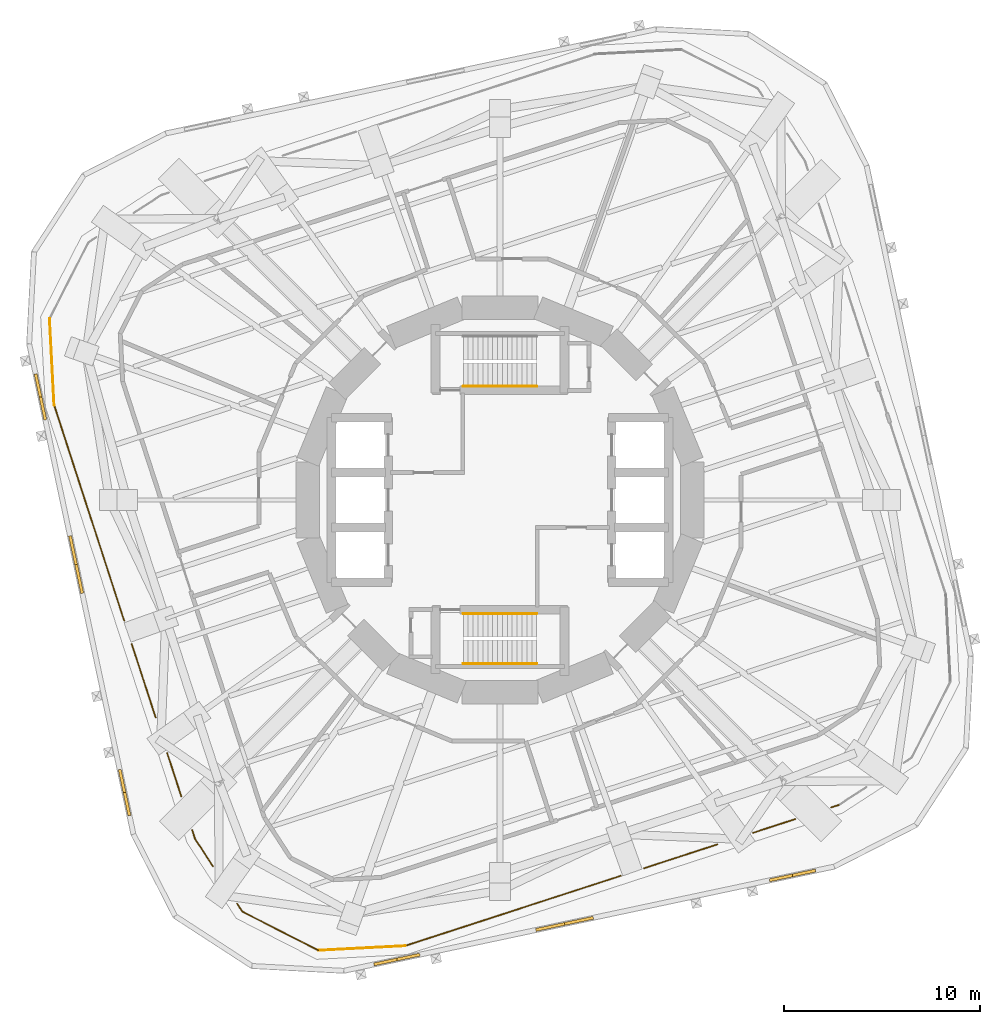
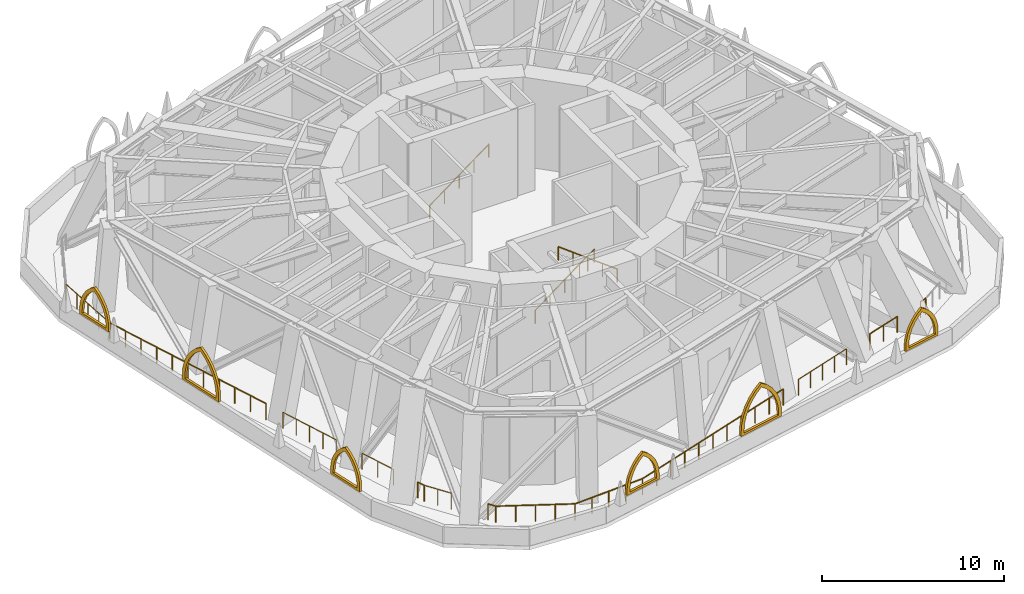
# One storey, part 8 of 11: 16 railings, 6 shading devices.
"""IFC4 building model written with IfcOpenShell, lengths in metres."""

from ifc_helpers import new_model, si_unit, direction, frame, origin, origin_2d, place, context, subcontext, project, spatial, polyline, circle, outline, extrude, material, type_object, element, save


model = new_model("IFC4")

# Units and contexts
model_context = context("Model", 3, precision=1e-05, world=origin(), true_north=direction((0.0, 1.0)))
body_context = subcontext(model_context, "Body", "Model", "MODEL_VIEW")
ifc_project = project(units=[si_unit("LENGTHUNIT", "METRE"), si_unit("AREAUNIT", "SQUARE_METRE"), si_unit("VOLUMEUNIT", "CUBIC_METRE"), si_unit("PLANEANGLEUNIT", "RADIAN"), si_unit("MASSUNIT", "GRAM", prefix="KILO")], contexts=[model_context])

# Site, building, storey
site_placement = place(None, origin())
site = spatial("IfcSite", under=ifc_project, at=site_placement, CompositionType="ELEMENT")
building_placement = place(site_placement, origin())
building = spatial("IfcBuilding", under=site, at=building_placement, Name="Nakasero Lantern House", CompositionType="ELEMENT")
storey_placement = place(building_placement, frame((0.0, 0.0, 135.800048828125)))
storey = spatial("IfcBuildingStorey", under=building, at=storey_placement, Name="L33", CompositionType="ELEMENT", Elevation=135.800048828125)

# Shading devices
ifc_material_1 = material(Name="Aluminium 6063-T6", Category="aluminium")
shading_device_type_1 = type_object("IfcShadingDeviceType", Name="Lancet screen 2400", PredefinedType="USERDEFINED", material=ifc_material_1)
for number, where, z_axis, x_axis, name in (
    (1, (-23.45654296875, 5.26220703125, 1.099853515625), (0.0, 0.0, 1.0), (0.207911691, -0.978147601, 0.0), "Tracery screen L33 2-00"),
    (2, (-19.1640625, -14.933349609375, 1.099853515625), (0.0, 0.0, 1.0), (0.207911691, -0.978147601, 0.0), "Tracery screen L33 2-02"),
    (3, (-5.26220703125, -23.45654296875, 1.099853515625), (0.0, 0.0, 1.0), (0.978147601, 0.207911691, 0.0), "Tracery screen L33 3-00"),
    (4, (14.933349609375, -19.1640625, 1.099853515625), (0.0, 0.0, 1.0), (0.978147601, 0.207911691, 0.0), "Tracery screen L33 3-02"),
):
    element("IfcShadingDevice", number, at=place(storey_placement, frame(where, z_axis=z_axis, x_axis=x_axis)), inside=storey, type_object=shading_device_type_1, Name=name, ObjectType="LANCET SCREEN", PredefinedType="USERDEFINED", context=body_context, shape_type="SweptSolid", body=[
        extrude(outline(polyline([(-1.199951171875, 0.0), (1.199951171875, 0.0), (1.199951171875, 0.300048828125), (1.16357421875, 0.716796875), (1.05517578125, 1.120849609375), (0.87841796875, 1.5), (0.638427734375, 1.8427734375), (0.3427734375, 2.138427734375), (0.0, 2.37841796875), (-0.3427734375, 2.138427734375), (-0.638427734375, 1.8427734375), (-0.87841796875, 1.5), (-1.05517578125, 1.120849609375), (-1.16357421875, 0.716796875), (-1.199951171875, 0.300048828125), (-1.199951171875, 0.0)]), holes=[polyline([(-0.97998046875, 0.14990234375), (0.97998046875, 0.14990234375), (0.97998046875, 0.300048828125), (0.950439453125, 0.6572265625), (0.86279296875, 1.0048828125), (0.719482421875, 1.33349609375), (0.524169921875, 1.63427734375), (0.281982421875, 1.898681640625), (0.0, 2.1201171875), (-0.281982421875, 1.898681640625), (-0.524169921875, 1.63427734375), (-0.719482421875, 1.33349609375), (-0.86279296875, 1.0048828125), (-0.950439453125, 0.6572265625), (-0.97998046875, 0.300048828125), (-0.97998046875, 0.14990234375)])]), frame((0.0, 0.074951171875, 0.0), z_axis=(0.0, -1.0, 0.0), x_axis=(1.0, 0.0, 0.0)), (0.0, 0.0, 1.0), 0.14990234375),
    ])
ifc_material_2 = material(Name="Aluminium 6063-T6", Category="aluminium")
shading_device_type_2 = type_object("IfcShadingDeviceType", Name="Lancet screen 3000", PredefinedType="USERDEFINED", material=ifc_material_2)
for number, where, z_axis, x_axis, name in (
    (5, (-21.63720703125, -3.2978515625, 1.099853515625), (0.0, 0.0, 1.0), (0.207911691, -0.978147601, 0.0), "Tracery screen L33 2-01"),
    (6, (3.2978515625, -21.63720703125, 1.099853515625), (0.0, 0.0, 1.0), (0.978147601, 0.207911691, 0.0), "Tracery screen L33 3-01"),
):
    element("IfcShadingDevice", number, at=place(storey_placement, frame(where, z_axis=z_axis, x_axis=x_axis)), inside=storey, type_object=shading_device_type_2, Name=name, ObjectType="LANCET SCREEN", PredefinedType="USERDEFINED", context=body_context, shape_type="SweptSolid", body=[
        extrude(outline(polyline([(-1.5, 0.0), (1.5, 0.0), (1.5, 0.300048828125), (1.454345703125, 0.821044921875), (1.319091796875, 1.326171875), (1.09814453125, 1.800048828125), (0.798095703125, 2.228271484375), (0.428466796875, 2.59814453125), (0.0, 2.898193359375), (-0.428466796875, 2.59814453125), (-0.798095703125, 2.228271484375), (-1.09814453125, 1.800048828125), (-1.319091796875, 1.326171875), (-1.454345703125, 0.821044921875), (-1.5, 0.300048828125), (-1.5, 0.0)]), holes=[polyline([(-1.280029296875, 0.14990234375), (1.280029296875, 0.14990234375), (1.280029296875, 0.300048828125), (1.241455078125, 0.761474609375), (1.126708984375, 1.21044921875), (0.939208984375, 1.6337890625), (0.683837890625, 2.020263671875), (0.367919921875, 2.359130859375), (0.0, 2.640625), (-0.367919921875, 2.359130859375), (-0.683837890625, 2.020263671875), (-0.939208984375, 1.6337890625), (-1.126708984375, 1.21044921875), (-1.241455078125, 0.761474609375), (-1.280029296875, 0.300048828125), (-1.280029296875, 0.14990234375)])]), frame((0.0, 0.074951171875, 0.0), z_axis=(0.0, -1.0, 0.0), x_axis=(1.0, 0.0, 0.0)), (0.0, 0.0, 1.0), 0.14990234375),
    ])

# Railings
ifc_material_3 = material(Name="Aluminium 6063-T6", Category="aluminium")
railing_type_1 = type_object("IfcRailingType", Name="Sky garden guard 1100", PredefinedType="GUARDRAIL", material=ifc_material_3)
railing_1_placement = place(storey_placement, frame((-22.760986328125, 4.84423828125, 0.0)))
element("IfcRailing", 7, at=railing_1_placement, inside=storey, type_object=railing_type_1, Name="Refuge area guard L33 2", PredefinedType="GUARDRAIL", context=body_context, shape_type="SweptSolid", body=[
    extrude(circle(Radius=0.02392578125, at=origin_2d()), frame((0.0, 0.0, 1.076171875), z_axis=(-0.052333070407, 0.998629685991, 0.0), x_axis=(-0.998629685991, -0.052333070407, 0.0)), (0.0, 0.0, 1.0), 4.42724609375),
    extrude(circle(Radius=0.02099609375, at=origin_2d()), origin(), (0.0, 0.0, 1.0), 1.052001953125),
    extrude(circle(Radius=0.02099609375, at=origin_2d()), frame((-0.057861328125, 1.105224609375, 0.0)), (0.0, 0.0, 1.0), 1.052001953125),
    extrude(circle(Radius=0.02099609375, at=origin_2d()), frame((-0.11572265625, 2.21044921875, 0.0)), (0.0, 0.0, 1.0), 1.052001953125),
    extrude(circle(Radius=0.02099609375, at=origin_2d()), frame((-0.173828125, 3.31591796875, 0.0)), (0.0, 0.0, 1.0), 1.052001953125),
    extrude(circle(Radius=0.02099609375, at=origin_2d()), frame((-0.231689453125, 4.421142578125, 0.0)), (0.0, 0.0, 1.0), 1.052001953125),
])
railing_2_placement = place(storey_placement, frame((-19.18603515625, -6.158447265625, 0.0)))
element("IfcRailing", 8, at=railing_2_placement, inside=storey, type_object=railing_type_1, Name="Refuge area guard L33 4", PredefinedType="GUARDRAIL", context=body_context, shape_type="SweptSolid", body=[
    extrude(circle(Radius=0.02392578125, at=origin_2d()), frame((0.0, 0.0, 1.076171875), z_axis=(-0.309014017595, 0.951057483504, 0.0), x_axis=(-0.951057483504, -0.309014017595, 0.0)), (0.0, 0.0, 1.0), 11.56884765625),
    extrude(circle(Radius=0.02099609375, at=origin_2d()), origin(), (0.0, 0.0, 1.0), 1.052001953125),
    extrude(circle(Radius=0.02099609375, at=origin_2d()), frame((-0.357421875, 1.100341796875, 0.0)), (0.0, 0.0, 1.0), 1.052001953125),
    extrude(circle(Radius=0.02099609375, at=origin_2d()), frame((-0.715087890625, 2.200439453125, 0.0)), (0.0, 0.0, 1.0), 1.052001953125),
    extrude(circle(Radius=0.02099609375, at=origin_2d()), frame((-1.072509765625, 3.30078125, 0.0)), (0.0, 0.0, 1.0), 1.052001953125),
    extrude(circle(Radius=0.02099609375, at=origin_2d()), frame((-1.429931640625, 4.401123046875, 0.0)), (0.0, 0.0, 1.0), 1.052001953125),
    extrude(circle(Radius=0.02099609375, at=origin_2d()), frame((-1.78759765625, 5.50146484375, 0.0)), (0.0, 0.0, 1.0), 1.052001953125),
    extrude(circle(Radius=0.02099609375, at=origin_2d()), frame((-2.14501953125, 6.6015625, 0.0)), (0.0, 0.0, 1.0), 1.052001953125),
    extrude(circle(Radius=0.02099609375, at=origin_2d()), frame((-2.50244140625, 7.701904296875, 0.0)), (0.0, 0.0, 1.0), 1.052001953125),
    extrude(circle(Radius=0.02099609375, at=origin_2d()), frame((-2.85986328125, 8.80224609375, 0.0)), (0.0, 0.0, 1.0), 1.052001953125),
    extrude(circle(Radius=0.02099609375, at=origin_2d()), frame((-3.217529296875, 9.90234375, 0.0)), (0.0, 0.0, 1.0), 1.052001953125),
    extrude(circle(Radius=0.02099609375, at=origin_2d()), frame((-3.574951171875, 11.002685546875, 0.0)), (0.0, 0.0, 1.0), 1.052001953125),
])
railing_3_placement = place(storey_placement, frame((-17.580322265625, -11.100341796875, 0.0)))
element("IfcRailing", 9, at=railing_3_placement, inside=storey, type_object=railing_type_1, Name="Refuge area guard L33 6", PredefinedType="GUARDRAIL", context=body_context, shape_type="SweptSolid", body=[
    extrude(circle(Radius=0.02392578125, at=origin_2d()), frame((0.0, 0.0, 1.076171875), z_axis=(-0.308997929652, 0.951062710588, 0.0), x_axis=(-0.951062710588, -0.308997929652, 0.0)), (0.0, 0.0, 1.0), 3.94580078125),
    extrude(circle(Radius=0.02099609375, at=origin_2d()), origin(), (0.0, 0.0, 1.0), 1.052001953125),
    extrude(circle(Radius=0.02099609375, at=origin_2d()), frame((-0.3046875, 0.938232421875, 0.0)), (0.0, 0.0, 1.0), 1.052001953125),
    extrude(circle(Radius=0.02099609375, at=origin_2d()), frame((-0.609619140625, 1.87646484375, 0.0)), (0.0, 0.0, 1.0), 1.052001953125),
    extrude(circle(Radius=0.02099609375, at=origin_2d()), frame((-0.91455078125, 2.814453125, 0.0)), (0.0, 0.0, 1.0), 1.052001953125),
    extrude(circle(Radius=0.02099609375, at=origin_2d()), frame((-1.21923828125, 3.752685546875, 0.0)), (0.0, 0.0, 1.0), 1.052001953125),
])
railing_4_placement = place(storey_placement, frame((-16.2685546875, -15.13720703125, 0.0)))
element("IfcRailing", 10, at=railing_4_placement, inside=storey, type_object=railing_type_1, Name="Refuge area guard L33 8", PredefinedType="GUARDRAIL", context=body_context, shape_type="SweptSolid", body=[
    extrude(circle(Radius=0.02392578125, at=origin_2d()), frame((0.0, 0.0, 1.076171875), z_axis=(-0.309043375616, 0.951047944106, 0.0), x_axis=(-0.951047944106, -0.309043375616, 0.0)), (0.0, 0.0, 1.0), 2.327392578125),
    extrude(circle(Radius=0.02099609375, at=origin_2d()), origin(), (0.0, 0.0, 1.0), 1.052001953125),
    extrude(circle(Radius=0.02099609375, at=origin_2d()), frame((-0.359619140625, 1.106689453125, 0.0)), (0.0, 0.0, 1.0), 1.052001953125),
    extrude(circle(Radius=0.02099609375, at=origin_2d()), frame((-0.71923828125, 2.21337890625, 0.0)), (0.0, 0.0, 1.0), 1.052001953125),
])
railing_5_placement = place(storey_placement, frame((-15.566650390625, -17.297607421875, 0.0)))
element("IfcRailing", 11, at=railing_5_placement, inside=storey, type_object=railing_type_1, Name="Refuge area guard L33 9", PredefinedType="GUARDRAIL", context=body_context, shape_type="SweptSolid", body=[
    extrude(circle(Radius=0.02392578125, at=origin_2d()), frame((0.0, 0.0, 1.076171875), z_axis=(-0.308830862166, 0.95111697418, 0.0), x_axis=(-0.95111697418, -0.308830862166, 0.0)), (0.0, 0.0, 1.0), 0.475830078125),
    extrude(circle(Radius=0.02099609375, at=origin_2d()), origin(), (0.0, 0.0, 1.0), 1.052001953125),
    extrude(circle(Radius=0.02099609375, at=origin_2d()), frame((-0.14697265625, 0.45263671875, 0.0)), (0.0, 0.0, 1.0), 1.052001953125),
])
railing_6_placement = place(storey_placement, frame((-14.653076171875, -18.704345703125, 0.0)))
element("IfcRailing", 12, at=railing_6_placement, inside=storey, type_object=railing_type_1, Name="Refuge area guard L33 11", PredefinedType="GUARDRAIL", context=body_context, shape_type="SweptSolid", body=[
    extrude(circle(Radius=0.02392578125, at=origin_2d()), frame((0.0, 0.0, 1.076171875), z_axis=(-0.544650649285, 0.838663025436, 0.0), x_axis=(-0.838663025436, -0.544650649285, 0.0)), (0.0, 0.0, 1.0), 1.67724609375),
    extrude(circle(Radius=0.02099609375, at=origin_2d()), origin(), (0.0, 0.0, 1.0), 1.052001953125),
    extrude(circle(Radius=0.02099609375, at=origin_2d()), frame((-0.456787109375, 0.703369140625, 0.0)), (0.0, 0.0, 1.0), 1.052001953125),
    extrude(circle(Radius=0.02099609375, at=origin_2d()), frame((-0.91357421875, 1.40673828125, 0.0)), (0.0, 0.0, 1.0), 1.052001953125),
])
railing_7_placement = place(storey_placement, frame((-13.1552734375, -21.0107421875, 0.0)))
element("IfcRailing", 13, at=railing_7_placement, inside=storey, type_object=railing_type_1, Name="Refuge area guard L33 12", PredefinedType="GUARDRAIL", context=body_context, shape_type="SweptSolid", body=[
    extrude(circle(Radius=0.02392578125, at=origin_2d()), frame((0.0, 0.0, 1.076171875), z_axis=(-0.54472435218, 0.83861515616, 0.0), x_axis=(-0.83861515616, -0.54472435218, 0.0)), (0.0, 0.0, 1.0), 0.487548828125),
    extrude(circle(Radius=0.02099609375, at=origin_2d()), origin(), (0.0, 0.0, 1.0), 1.052001953125),
    extrude(circle(Radius=0.02099609375, at=origin_2d()), frame((-0.265625, 0.408935546875, 0.0)), (0.0, 0.0, 1.0), 1.052001953125),
])
railing_8_placement = place(storey_placement, frame((-9.265380859375, -22.99267578125, 0.0)))
element("IfcRailing", 14, at=railing_8_placement, inside=storey, type_object=railing_type_1, Name="Refuge area guard L33 14", PredefinedType="GUARDRAIL", context=body_context, shape_type="SweptSolid", body=[
    extrude(circle(Radius=0.02392578125, at=origin_2d()), frame((0.0, 0.0, 1.076171875), z_axis=(-0.891012608889, 0.453978557645, 0.0), x_axis=(-0.453978557645, -0.891012608889, 0.0)), (0.0, 0.0, 1.0), 4.36572265625),
    extrude(circle(Radius=0.02099609375, at=origin_2d()), origin(), (0.0, 0.0, 1.0), 1.052001953125),
    extrude(circle(Radius=0.02099609375, at=origin_2d()), frame((-0.972412109375, 0.49560546875, 0.0)), (0.0, 0.0, 1.0), 1.052001953125),
    extrude(circle(Radius=0.02099609375, at=origin_2d()), frame((-1.94482421875, 0.990966796875, 0.0)), (0.0, 0.0, 1.0), 1.052001953125),
    extrude(circle(Radius=0.02099609375, at=origin_2d()), frame((-2.91748046875, 1.486328125, 0.0)), (0.0, 0.0, 1.0), 1.052001953125),
    extrude(circle(Radius=0.02099609375, at=origin_2d()), frame((-3.889892578125, 1.98193359375, 0.0)), (0.0, 0.0, 1.0), 1.052001953125),
])
railing_9_placement = place(storey_placement, frame((-4.84423828125, -22.760986328125, 0.0)))
element("IfcRailing", 15, at=railing_9_placement, inside=storey, type_object=railing_type_1, Name="Refuge area guard L33 16", PredefinedType="GUARDRAIL", context=body_context, shape_type="SweptSolid", body=[
    extrude(circle(Radius=0.02392578125, at=origin_2d()), frame((0.0, 0.0, 1.076171875), z_axis=(-0.998629685991, -0.052333070407, 0.0), x_axis=(0.052333070407, -0.998629685991, 0.0)), (0.0, 0.0, 1.0), 4.42724609375),
    extrude(circle(Radius=0.02099609375, at=origin_2d()), origin(), (0.0, 0.0, 1.0), 1.052001953125),
    extrude(circle(Radius=0.02099609375, at=origin_2d()), frame((-1.105224609375, -0.057861328125, 0.0)), (0.0, 0.0, 1.0), 1.052001953125),
    extrude(circle(Radius=0.02099609375, at=origin_2d()), frame((-2.21044921875, -0.11572265625, 0.0)), (0.0, 0.0, 1.0), 1.052001953125),
    extrude(circle(Radius=0.02099609375, at=origin_2d()), frame((-3.31591796875, -0.173828125, 0.0)), (0.0, 0.0, 1.0), 1.052001953125),
    extrude(circle(Radius=0.02099609375, at=origin_2d()), frame((-4.421142578125, -0.231689453125, 0.0)), (0.0, 0.0, 1.0), 1.052001953125),
])
railing_10_placement = place(storey_placement, frame((6.158447265625, -19.18603515625, 0.0)))
element("IfcRailing", 16, at=railing_10_placement, inside=storey, type_object=railing_type_1, Name="Refuge area guard L33 18", PredefinedType="GUARDRAIL", context=body_context, shape_type="SweptSolid", body=[
    extrude(circle(Radius=0.02392578125, at=origin_2d()), frame((0.0, 0.0, 1.076171875), z_axis=(-0.951057483504, -0.309014017595, 0.0), x_axis=(0.309014017595, -0.951057483504, 0.0)), (0.0, 0.0, 1.0), 11.56884765625),
    extrude(circle(Radius=0.02099609375, at=origin_2d()), origin(), (0.0, 0.0, 1.0), 1.052001953125),
    extrude(circle(Radius=0.02099609375, at=origin_2d()), frame((-1.100341796875, -0.357421875, 0.0)), (0.0, 0.0, 1.0), 1.052001953125),
    extrude(circle(Radius=0.02099609375, at=origin_2d()), frame((-2.200439453125, -0.715087890625, 0.0)), (0.0, 0.0, 1.0), 1.052001953125),
    extrude(circle(Radius=0.02099609375, at=origin_2d()), frame((-3.30078125, -1.072509765625, 0.0)), (0.0, 0.0, 1.0), 1.052001953125),
    extrude(circle(Radius=0.02099609375, at=origin_2d()), frame((-4.401123046875, -1.429931640625, 0.0)), (0.0, 0.0, 1.0), 1.052001953125),
    extrude(circle(Radius=0.02099609375, at=origin_2d()), frame((-5.50146484375, -1.78759765625, 0.0)), (0.0, 0.0, 1.0), 1.052001953125),
    extrude(circle(Radius=0.02099609375, at=origin_2d()), frame((-6.6015625, -2.14501953125, 0.0)), (0.0, 0.0, 1.0), 1.052001953125),
    extrude(circle(Radius=0.02099609375, at=origin_2d()), frame((-7.701904296875, -2.50244140625, 0.0)), (0.0, 0.0, 1.0), 1.052001953125),
    extrude(circle(Radius=0.02099609375, at=origin_2d()), frame((-8.80224609375, -2.85986328125, 0.0)), (0.0, 0.0, 1.0), 1.052001953125),
    extrude(circle(Radius=0.02099609375, at=origin_2d()), frame((-9.90234375, -3.217529296875, 0.0)), (0.0, 0.0, 1.0), 1.052001953125),
    extrude(circle(Radius=0.02099609375, at=origin_2d()), frame((-11.002685546875, -3.574951171875, 0.0)), (0.0, 0.0, 1.0), 1.052001953125),
])
railing_11_placement = place(storey_placement, frame((11.100341796875, -17.580322265625, 0.0)))
element("IfcRailing", 17, at=railing_11_placement, inside=storey, type_object=railing_type_1, Name="Refuge area guard L33 20", PredefinedType="GUARDRAIL", context=body_context, shape_type="SweptSolid", body=[
    extrude(circle(Radius=0.02392578125, at=origin_2d()), frame((0.0, 0.0, 1.076171875), z_axis=(-0.951062710588, -0.308997929652, 0.0), x_axis=(0.308997929652, -0.951062710588, 0.0)), (0.0, 0.0, 1.0), 3.94580078125),
    extrude(circle(Radius=0.02099609375, at=origin_2d()), origin(), (0.0, 0.0, 1.0), 1.052001953125),
    extrude(circle(Radius=0.02099609375, at=origin_2d()), frame((-0.938232421875, -0.3046875, 0.0)), (0.0, 0.0, 1.0), 1.052001953125),
    extrude(circle(Radius=0.02099609375, at=origin_2d()), frame((-1.87646484375, -0.609619140625, 0.0)), (0.0, 0.0, 1.0), 1.052001953125),
    extrude(circle(Radius=0.02099609375, at=origin_2d()), frame((-2.814453125, -0.91455078125, 0.0)), (0.0, 0.0, 1.0), 1.052001953125),
    extrude(circle(Radius=0.02099609375, at=origin_2d()), frame((-3.752685546875, -1.21923828125, 0.0)), (0.0, 0.0, 1.0), 1.052001953125),
])
railing_12_placement = place(storey_placement, frame((15.083740234375, -16.285888671875, 0.0)))
element("IfcRailing", 18, at=railing_12_placement, inside=storey, type_object=railing_type_1, Name="Refuge area guard L33 23", PredefinedType="GUARDRAIL", context=body_context, shape_type="SweptSolid", body=[
    extrude(circle(Radius=0.02392578125, at=origin_2d()), frame((0.0, 0.0, 1.076171875), z_axis=(-0.951042758204, -0.309059334219, 0.0), x_axis=(0.309059334219, -0.951042758204, 0.0)), (0.0, 0.0, 1.0), 2.27099609375),
    extrude(circle(Radius=0.02099609375, at=origin_2d()), origin(), (0.0, 0.0, 1.0), 1.052001953125),
    extrude(circle(Radius=0.02099609375, at=origin_2d()), frame((-1.080078125, -0.35107421875, 0.0)), (0.0, 0.0, 1.0), 1.052001953125),
    extrude(circle(Radius=0.02099609375, at=origin_2d()), frame((-2.159912109375, -0.701904296875, 0.0)), (0.0, 0.0, 1.0), 1.052001953125),
])
railing_13_placement = place(storey_placement, frame((17.297607421875, -15.566650390625, 0.0)))
element("IfcRailing", 19, at=railing_13_placement, inside=storey, type_object=railing_type_1, Name="Refuge area guard L33 26", PredefinedType="GUARDRAIL", context=body_context, shape_type="SweptSolid", body=[
    extrude(circle(Radius=0.02392578125, at=origin_2d()), frame((0.0, 0.0, 1.076171875), z_axis=(-0.951098171344, -0.308888763904, 0.0), x_axis=(0.308888763904, -0.951098171344, 0.0)), (0.0, 0.0, 1.0), 0.419677734375),
    extrude(circle(Radius=0.02099609375, at=origin_2d()), origin(), (0.0, 0.0, 1.0), 1.052001953125),
    extrude(circle(Radius=0.02099609375, at=origin_2d()), frame((-0.399169921875, -0.129638671875, 0.0)), (0.0, 0.0, 1.0), 1.052001953125),
])
ifc_material_4 = material(Name="Stainless steel 316", Category="steel")
railing_type_2 = type_object("IfcRailingType", Name="Stair handrail 900", PredefinedType="HANDRAIL", material=ifc_material_4)
for number, where, name in (
    (20, (-1.875, 5.800048828125, 0.1875), "Handrail ST1 L33 flight 1"),
    (21, (-1.875, -5.800048828125, 0.1875), "Handrail ST2 L33 flight 1"),
):
    element("IfcRailing", number, at=place(storey_placement, frame(where)), inside=storey, type_object=railing_type_2, Name=name, PredefinedType="HANDRAIL", context=body_context, shape_type="SweptSolid", body=[
        extrude(circle(Radius=0.02392578125, at=origin_2d()), frame((0.0, 0.0, 0.8759765625), z_axis=(0.8, 0.0, 0.6), x_axis=(0.0, 1.0, 0.0)), (0.0, 0.0, 1.0), 4.6875),
        extrude(circle(Radius=0.02099609375, at=origin_2d()), origin(), (0.0, 0.0, 1.0), 0.851806640625),
        extrude(circle(Radius=0.02099609375, at=origin_2d()), frame((0.9375, 0.0, 0.703125)), (0.0, 0.0, 1.0), 0.851806640625),
        extrude(circle(Radius=0.02099609375, at=origin_2d()), frame((1.875, 0.0, 1.40625)), (0.0, 0.0, 1.0), 0.851806640625),
        extrude(circle(Radius=0.02099609375, at=origin_2d()), frame((2.8125, 0.0, 2.109375)), (0.0, 0.0, 1.0), 0.851806640625),
        extrude(circle(Radius=0.02099609375, at=origin_2d()), frame((3.75, 0.0, 2.8125)), (0.0, 0.0, 1.0), 0.851806640625),
    ])
railing_14_placement = place(storey_placement, frame((1.875, -8.35009765625, 3.1875)))
element("IfcRailing", 22, at=railing_14_placement, inside=storey, type_object=railing_type_2, Name="Handrail ST2 L33 flight 2", PredefinedType="HANDRAIL", context=body_context, shape_type="SweptSolid", body=[
    extrude(circle(Radius=0.02392578125, at=origin_2d()), frame((0.0, 0.0, 0.8759765625), z_axis=(-0.8, 0.0, 0.6), x_axis=(0.0, -1.0, 0.0)), (0.0, 0.0, 1.0), 4.6875),
    extrude(circle(Radius=0.02099609375, at=origin_2d()), origin(), (0.0, 0.0, 1.0), 0.851806640625),
    extrude(circle(Radius=0.02099609375, at=origin_2d()), frame((-0.9375, 0.0, 0.703125)), (0.0, 0.0, 1.0), 0.851806640625),
    extrude(circle(Radius=0.02099609375, at=origin_2d()), frame((-1.875, 0.0, 1.40625)), (0.0, 0.0, 1.0), 0.851806640625),
    extrude(circle(Radius=0.02099609375, at=origin_2d()), frame((-2.8125, 0.0, 2.109375)), (0.0, 0.0, 1.0), 0.851806640625),
    extrude(circle(Radius=0.02099609375, at=origin_2d()), frame((-3.75, 0.0, 2.8125)), (0.0, 0.0, 1.0), 0.851806640625),
])

save(model, "model.ifc")
